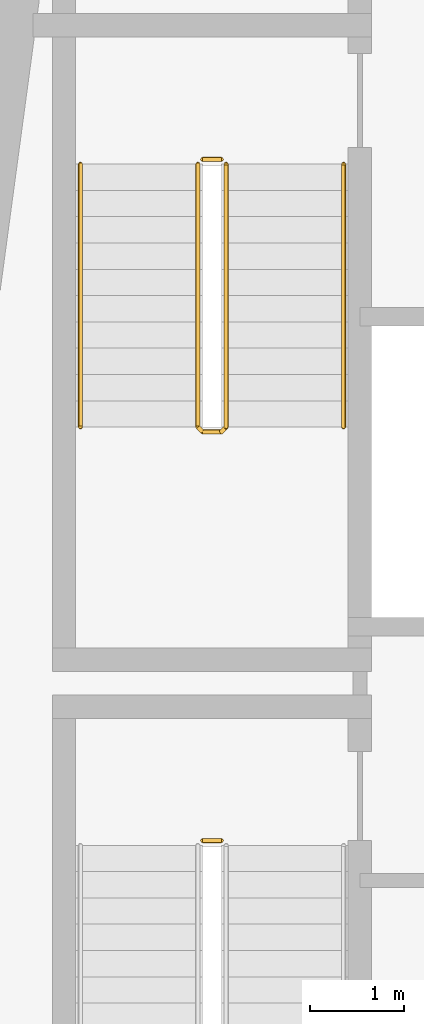
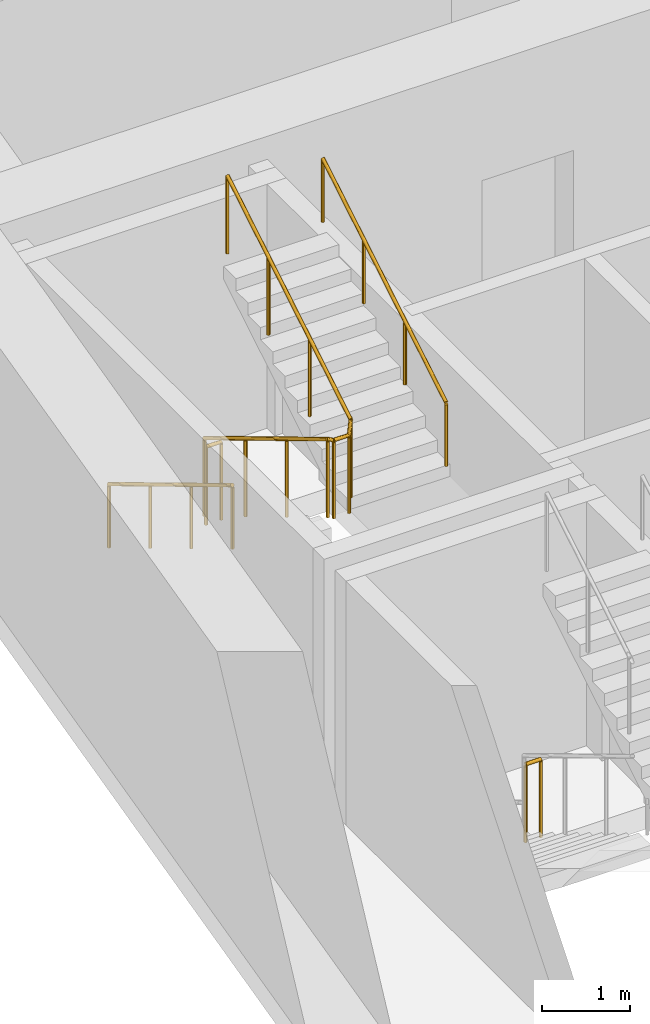
# One storey, part 10 of 13: 5 railings.
"""IFC4 building model written with IfcOpenShell, lengths in metres."""

from ifc_helpers import new_model, si_unit, direction, frame, origin, origin_2d, place, context, subcontext, project, spatial, circle, extrude, material, type_object, element, save


model = new_model("IFC4")

# Units and contexts
model_context = context("Model", 3, precision=1e-05, world=origin(), true_north=direction((0.0, 1.0)))
body_context = subcontext(model_context, "Body", "Model", "MODEL_VIEW")
ifc_project = project(units=[si_unit("LENGTHUNIT", "METRE"), si_unit("AREAUNIT", "SQUARE_METRE"), si_unit("VOLUMEUNIT", "CUBIC_METRE"), si_unit("PLANEANGLEUNIT", "RADIAN"), si_unit("MASSUNIT", "GRAM", prefix="KILO")], contexts=[model_context])

# Site, building, storey
site_placement = place(None, origin())
site = spatial("IfcSite", under=ifc_project, at=site_placement, CompositionType="ELEMENT")
building_placement = place(site_placement, origin())
building = spatial("IfcBuilding", under=site, at=building_placement, Name="Candeia Pilgrim Tower and Theatre", CompositionType="ELEMENT")
storey_placement = place(building_placement, frame((0.0, 0.0, 155.199951171875)))
storey = spatial("IfcBuildingStorey", under=building, at=storey_placement, Name="L36", CompositionType="ELEMENT", Elevation=155.199951171875)

# Railings
ifc_material_1 = material(Name="Stainless steel balustrade", Category="steel")
railing_type_1 = type_object("IfcRailingType", Name="RL-GUARD-1100", PredefinedType="GUARDRAIL", material=ifc_material_1)
railing_1_placement = place(storey_placement, frame((91.152099609375, 122.52490234375, 0.0)))
element("IfcRailing", 1, at=railing_1_placement, inside=storey, type_object=railing_type_1, Name="L36 ST1 stair guard 2", PredefinedType="GUARDRAIL", context=body_context, shape_type="SweptSolid", body=[
    extrude(circle(Radius=0.02392578125, at=origin_2d()), frame((0.0, 0.0, 1.076171875), z_axis=(1.0, 0.0, 0.0), x_axis=(0.0, 1.0, 0.0)), (0.0, 0.0, 1.0), 0.199951171875),
    extrude(circle(Radius=0.02099609375, at=origin_2d()), origin(), (0.0, 0.0, 1.0), 1.052001953125),
    extrude(circle(Radius=0.02099609375, at=origin_2d()), frame((0.199951171875, 0.0, 0.0)), (0.0, 0.0, 1.0), 1.052001953125),
])
railing_2_placement = place(storey_placement, frame((91.10205078125, 129.72509765625, 0.168212890625)))
element("IfcRailing", 2, at=railing_2_placement, inside=storey, type_object=railing_type_1, Name="L36 ST2 stair guard 1", PredefinedType="GUARDRAIL", context=body_context, shape_type="SweptSolid", body=[
    extrude(circle(Radius=0.02392578125, at=origin_2d()), frame((0.0, 0.0, 1.076171875), z_axis=(0.0, -0.857242210791, 0.514913383045), x_axis=(1.0, 0.0, 0.0)), (0.0, 0.0, 1.0), 3.266357421875),
    extrude(circle(Radius=0.02392578125, at=origin_2d()), frame((0.0, -2.800048828125, 2.7578125), z_axis=(0.707106781187, -0.707106781187, 0.0), x_axis=(0.707106781187, 0.707106781187, 0.0)), (0.0, 0.0, 1.0), 0.07080078125),
    extrude(circle(Radius=0.02392578125, at=origin_2d()), frame((0.050048828125, -2.85009765625, 2.7578125), z_axis=(1.0, 0.0, 0.0), x_axis=(0.0, 1.0, 0.0)), (0.0, 0.0, 1.0), 0.199951171875),
    extrude(circle(Radius=0.02392578125, at=origin_2d()), frame((0.25, -2.85009765625, 2.7578125), z_axis=(0.274243871929, 0.274243871929, 0.92172696468), x_axis=(-0.707106781187, 0.707106781187, 0.0)), (0.0, 0.0, 1.0), 0.1826171875),
    extrude(circle(Radius=0.02392578125, at=origin_2d()), frame((0.300048828125, -2.800048828125, 2.92626953125), z_axis=(0.0, 0.857275202839, 0.514858452973), x_axis=(-1.0, 0.0, 0.0)), (0.0, 0.0, 1.0), 3.26611328125),
    extrude(circle(Radius=0.02099609375, at=origin_2d()), origin(), (0.0, 0.0, 1.0), 1.052001953125),
    extrude(circle(Radius=0.02099609375, at=origin_2d()), frame((0.0, -0.933349609375, 0.560546875)), (0.0, 0.0, 1.0), 1.052001953125),
    extrude(circle(Radius=0.02099609375, at=origin_2d()), frame((0.0, -1.86669921875, 1.121337890625)), (0.0, 0.0, 1.0), 1.052001953125),
    extrude(circle(Radius=0.02099609375, at=origin_2d()), frame((0.0, -2.800048828125, 1.681884765625)), (0.0, 0.0, 1.0), 1.052001953125),
    extrude(circle(Radius=0.02099609375, at=origin_2d()), frame((0.050048828125, -2.85009765625, 1.681884765625)), (0.0, 0.0, 1.0), 1.052001953125),
    extrude(circle(Radius=0.02099609375, at=origin_2d()), frame((0.25, -2.85009765625, 1.681884765625)), (0.0, 0.0, 1.0), 1.052001953125),
    extrude(circle(Radius=0.02099609375, at=origin_2d()), frame((0.300048828125, -2.800048828125, 1.85009765625)), (0.0, 0.0, 1.0), 1.052001953125),
    extrude(circle(Radius=0.02099609375, at=origin_2d()), frame((0.300048828125, -1.86669921875, 2.41064453125)), (0.0, 0.0, 1.0), 1.052001953125),
    extrude(circle(Radius=0.02099609375, at=origin_2d()), frame((0.300048828125, -0.933349609375, 2.97119140625)), (0.0, 0.0, 1.0), 1.052001953125),
    extrude(circle(Radius=0.02099609375, at=origin_2d()), frame((0.300048828125, 0.0, 3.53173828125)), (0.0, 0.0, 1.0), 1.052001953125),
])
railing_3_placement = place(storey_placement, frame((91.152099609375, 129.77490234375, 0.0)))
element("IfcRailing", 3, at=railing_3_placement, inside=storey, type_object=railing_type_1, Name="L36 ST2 stair guard 2", PredefinedType="GUARDRAIL", context=body_context, shape_type="SweptSolid", body=[
    extrude(circle(Radius=0.02392578125, at=origin_2d()), frame((0.0, 0.0, 1.076171875), z_axis=(1.0, 0.0, 0.0), x_axis=(0.0, 1.0, 0.0)), (0.0, 0.0, 1.0), 0.199951171875),
    extrude(circle(Radius=0.02099609375, at=origin_2d()), origin(), (0.0, 0.0, 1.0), 1.052001953125),
    extrude(circle(Radius=0.02099609375, at=origin_2d()), frame((0.199951171875, 0.0, 0.0)), (0.0, 0.0, 1.0), 1.052001953125),
])
ifc_material_2 = material(Name="Stainless steel handrail", Category="steel")
railing_type_2 = type_object("IfcRailingType", Name="RL-HANDRAIL-900", PredefinedType="HANDRAIL", material=ifc_material_2)
railing_4_placement = place(storey_placement, frame((89.85205078125, 129.72509765625, 0.168212890625)))
element("IfcRailing", 4, at=railing_4_placement, inside=storey, type_object=railing_type_2, Name="L36 ST2 stair handrail 1", PredefinedType="HANDRAIL", context=body_context, shape_type="SweptSolid", body=[
    extrude(circle(Radius=0.02392578125, at=origin_2d()), frame((0.0, 0.0, 0.8759765625), z_axis=(0.0, -0.857242210791, 0.514913383045), x_axis=(1.0, 0.0, 0.0)), (0.0, 0.0, 1.0), 3.266357421875),
    extrude(circle(Radius=0.02099609375, at=origin_2d()), origin(), (0.0, 0.0, 1.0), 0.851806640625),
    extrude(circle(Radius=0.02099609375, at=origin_2d()), frame((0.0, -0.933349609375, 0.560546875)), (0.0, 0.0, 1.0), 0.851806640625),
    extrude(circle(Radius=0.02099609375, at=origin_2d()), frame((0.0, -1.86669921875, 1.121337890625)), (0.0, 0.0, 1.0), 0.851806640625),
    extrude(circle(Radius=0.02099609375, at=origin_2d()), frame((0.0, -2.800048828125, 1.681884765625)), (0.0, 0.0, 1.0), 0.851806640625),
])
railing_5_placement = place(storey_placement, frame((92.652099609375, 126.925048828125, 2.018310546875)))
element("IfcRailing", 5, at=railing_5_placement, inside=storey, type_object=railing_type_2, Name="L36 ST2 stair handrail 2", PredefinedType="HANDRAIL", context=body_context, shape_type="SweptSolid", body=[
    extrude(circle(Radius=0.02392578125, at=origin_2d()), frame((0.0, 0.0, 0.8759765625), z_axis=(0.0, 0.857275202839, 0.514858452973), x_axis=(-1.0, 0.0, 0.0)), (0.0, 0.0, 1.0), 3.26611328125),
    extrude(circle(Radius=0.02099609375, at=origin_2d()), origin(), (0.0, 0.0, 1.0), 0.851806640625),
    extrude(circle(Radius=0.02099609375, at=origin_2d()), frame((0.0, 0.933349609375, 0.560546875)), (0.0, 0.0, 1.0), 0.851806640625),
    extrude(circle(Radius=0.02099609375, at=origin_2d()), frame((0.0, 1.86669921875, 1.12109375)), (0.0, 0.0, 1.0), 0.851806640625),
    extrude(circle(Radius=0.02099609375, at=origin_2d()), frame((0.0, 2.800048828125, 1.681640625)), (0.0, 0.0, 1.0), 0.851806640625),
])

save(model, "model.ifc")
